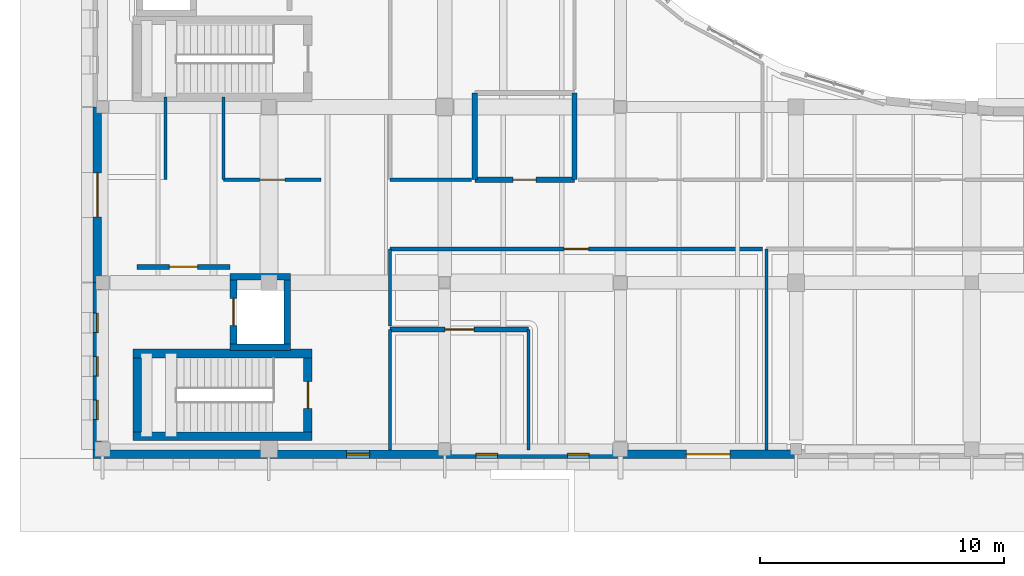
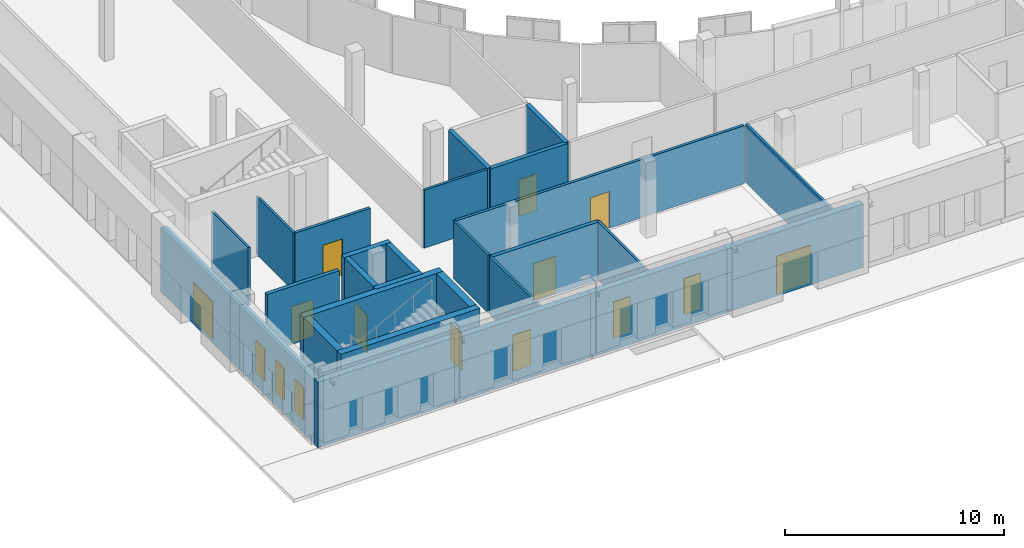
# One storey, part 47 of 77: 28 walls, 9 doors, 6 windows, 15 openings.
"""IFC4 building model written with IfcOpenShell, lengths in metres."""

from ifc_helpers import new_model, si_unit, direction, frame, frame_2d, origin, place, context, subcontext, project, spatial, rectangle, extrude, material, layer, layer_set, type_object, element, fill, save


model = new_model("IFC4")

# Units and contexts
model_context = context("Model", 3, precision=1e-05, world=origin(), true_north=direction((0.0, 1.0)))
body_context = subcontext(model_context, "Body", "Model", "MODEL_VIEW")
ifc_project = project(units=[si_unit("LENGTHUNIT", "METRE"), si_unit("AREAUNIT", "SQUARE_METRE"), si_unit("VOLUMEUNIT", "CUBIC_METRE"), si_unit("PLANEANGLEUNIT", "RADIAN"), si_unit("MASSUNIT", "GRAM", prefix="KILO")], contexts=[model_context])

# Site, building, storey
site_placement = place(None, origin())
site = spatial("IfcSite", under=ifc_project, at=site_placement, CompositionType="ELEMENT")
building_placement = place(site_placement, origin())
building = spatial("IfcBuilding", under=site, at=building_placement, Name="Vardoun Plaza Health Centre", CompositionType="ELEMENT")
storey_placement = place(building_placement, origin())
storey = spatial("IfcBuildingStorey", under=building, at=storey_placement, Name="L00", CompositionType="ELEMENT", Elevation=0.0)

# Wall
ifc_material_1 = material(Name="Concrete C40/50", Category="concrete")
ifc_layer_1 = layer(ifc_material_1, 0.27001953125)
ifc_layer_set_1 = layer_set([ifc_layer_1], Name="Concrete C40/50")
wall_type_1 = type_object("IfcWallType", Name="SW-03", PredefinedType="SHEAR", material=ifc_layer_set_1)
wall_1_placement = place(storey_placement, frame((12.5849609375, 9.050048828125, 0.0), z_axis=(0.0, 0.0, 1.0), x_axis=(-1.0, 0.0, 0.0)))
element("IfcWall", 1, at=wall_1_placement, inside=storey, type_object=wall_type_1, Name="Lift LF-01 L00 Shaft Wall S", PredefinedType="SHEAR", context=body_context, shape_type="SweptSolid", body=[
    extrude(rectangle(XDim=2.469970703125, YDim=0.27001953125, at=frame_2d((1.23486328125, 0.0))), origin(), (0.0, 0.0, 1.0), 4.219970703125),
])

# Wall, opening, door
wall_2_placement = place(storey_placement, frame((10.25, 9.18505859375, 0.0), z_axis=(0.0, 0.0, 1.0), x_axis=(0.0, 1.0, 0.0)))
wall_2 = element("IfcWall", 2, at=wall_2_placement, inside=storey, type_object=wall_type_1, Name="Lift LF-01 L00 Shaft Wall W", PredefinedType="SHEAR", context=body_context, shape_type="SweptSolid", body=[
    extrude(rectangle(XDim=2.6298828125, YDim=0.27001953125, at=frame_2d((1.31494140625, 0.0))), origin(), (0.0, 0.0, 1.0), 4.219970703125),
])
opening_1_placement = place(wall_2_placement, frame((0.7548828125, 0.0, 0.0)))
opening_1 = element("IfcOpeningElement", 3, at=opening_1_placement, cuts=wall_2, Name="Opening LD-LF-01-L00", PredefinedType="OPENING", context=body_context, shape_type="SweptSolid", body=[
    extrude(rectangle(XDim=1.1201171875, YDim=2.10009765625, at=frame_2d((0.56005859375, 1.050048828125))), frame((0.0, 0.135009765625, 0.0), z_axis=(0.0, -1.0, 0.0), x_axis=(1.0, 0.0, 0.0)), (0.0, 0.0, 1.0), 0.27001953125),
])
ifc_material_2 = material(Name="Brushed Stainless Steel Grade 316L", Category="steel")
door_type_1 = type_object("IfcDoorType", Name="LD-01", OperationType="DOUBLE_DOOR_SLIDING", PredefinedType="DOOR", material=ifc_material_2)
door_1_placement = place(opening_1_placement, origin())
door_1 = element("IfcDoor", 4, at=door_1_placement, inside=storey, type_object=door_type_1, Name="Lift LF-01 L00 Sliding Landing Door", OperationType="DOUBLE_DOOR_SLIDING", OverallHeight=2.10009765625, OverallWidth=1.1201171875, PredefinedType="DOOR", context=body_context, shape_type="SweptSolid", body=[
    extrude(rectangle(XDim=1.1201171875, YDim=2.10009765625, at=frame_2d((0.56005859375, 1.050048828125))), frame((0.0, 0.02490234375, 0.0), z_axis=(0.0, -1.0, 0.0), x_axis=(1.0, 0.0, 0.0)), (0.0, 0.0, 1.0), 0.050048828125),
])
fill(opening_1, door_1)

# Walls
wall_3_placement = place(storey_placement, frame((10.114990234375, 11.949951171875, 0.0), z_axis=(0.0, 0.0, 1.0), x_axis=(1.0, 0.0, 0.0)))
element("IfcWall", 5, at=wall_3_placement, inside=storey, type_object=wall_type_1, Name="Lift LF-01 L00 Shaft Wall N", PredefinedType="SHEAR", context=body_context, shape_type="SweptSolid", body=[
    extrude(rectangle(XDim=2.469970703125, YDim=0.27001953125, at=frame_2d((1.23486328125, 0.0))), origin(), (0.0, 0.0, 1.0), 4.219970703125),
])
wall_4_placement = place(storey_placement, frame((12.449951171875, 11.81494140625, 0.0), z_axis=(0.0, 0.0, 1.0), x_axis=(0.0, -1.0, 0.0)))
element("IfcWall", 6, at=wall_4_placement, inside=storey, type_object=wall_type_1, Name="Lift LF-01 L00 Shaft Wall E", PredefinedType="SHEAR", context=body_context, shape_type="SweptSolid", body=[
    extrude(rectangle(XDim=2.6298828125, YDim=0.27001953125, at=frame_2d((1.31494140625, 0.0))), origin(), (0.0, 0.0, 1.0), 4.219970703125),
])
ifc_material_3 = material(Name="Concrete C40/50", Category="concrete")
ifc_layer_2 = layer(ifc_material_3, 0.35009765625)
ifc_layer_set_2 = layer_set([ifc_layer_2], Name="Concrete C40/50")
wall_type_2 = type_object("IfcWallType", Name="SW-02", PredefinedType="SHEAR", material=ifc_layer_set_2)
wall_5_placement = place(storey_placement, frame((13.47509765625, 5.39990234375, 0.0), z_axis=(0.0, 0.0, 1.0), x_axis=(-1.0, 0.0, 0.0)))
element("IfcWall", 7, at=wall_5_placement, inside=storey, type_object=wall_type_2, Name="Core C1 L00 Shear Wall S", PredefinedType="SHEAR", context=body_context, shape_type="SweptSolid", body=[
    extrude(rectangle(XDim=7.35009765625, YDim=0.35009765625, at=frame_2d((3.675048828125, 0.0))), origin(), (0.0, 0.0, 1.0), 4.219970703125),
])
wall_6_placement = place(storey_placement, frame((6.300048828125, 5.574951171875, 0.0), z_axis=(0.0, 0.0, 1.0), x_axis=(0.0, 1.0, 0.0)))
element("IfcWall", 8, at=wall_6_placement, inside=storey, type_object=wall_type_2, Name="Core C1 L00 Shear Wall W", PredefinedType="SHEAR", context=body_context, shape_type="SweptSolid", body=[
    extrude(rectangle(XDim=3.050048828125, YDim=0.35009765625, at=frame_2d((1.52490234375, 0.0))), origin(), (0.0, 0.0, 1.0), 4.219970703125),
])
wall_7_placement = place(storey_placement, frame((6.125, 8.800048828125, 0.0), z_axis=(0.0, 0.0, 1.0), x_axis=(1.0, 0.0, 0.0)))
element("IfcWall", 9, at=wall_7_placement, inside=storey, type_object=wall_type_2, Name="Core C1 L00 Shear Wall N", PredefinedType="SHEAR", context=body_context, shape_type="SweptSolid", body=[
    extrude(rectangle(XDim=7.35009765625, YDim=0.35009765625, at=frame_2d((3.675048828125, 0.0))), origin(), (0.0, 0.0, 1.0), 4.219970703125),
])

# Wall, opening, door
wall_8_placement = place(storey_placement, frame((13.300048828125, 8.625, 0.0), z_axis=(0.0, 0.0, 1.0), x_axis=(0.0, -1.0, 0.0)))
wall_8 = element("IfcWall", 10, at=wall_8_placement, inside=storey, type_object=wall_type_2, Name="Core C1 L00 Shear Wall E", PredefinedType="SHEAR", context=body_context, shape_type="SweptSolid", body=[
    extrude(rectangle(XDim=3.050048828125, YDim=0.35009765625, at=frame_2d((1.52490234375, 0.0))), origin(), (0.0, 0.0, 1.0), 4.219970703125),
])
opening_2_placement = place(wall_8_placement, frame((0.97509765625, 0.0, 0.0)))
opening_2 = element("IfcOpeningElement", 11, at=opening_2_placement, cuts=wall_8, Name="Opening SD-C1-L00", PredefinedType="OPENING", context=body_context, shape_type="SweptSolid", body=[
    extrude(rectangle(XDim=1.10009765625, YDim=2.050048828125, at=frame_2d((0.550048828125, 1.02490234375))), frame((0.0, 0.175048828125, 0.0), z_axis=(0.0, -1.0, 0.0), x_axis=(1.0, 0.0, 0.0)), (0.0, 0.0, 1.0), 0.35009765625),
])
ifc_material_4 = material(Name="Brushed Stainless Steel Grade 316L", Category="steel")
door_type_2 = type_object("IfcDoorType", Name="FD-01", OperationType="NOTDEFINED", PredefinedType="DOOR", material=ifc_material_4)
door_2_placement = place(opening_2_placement, origin())
door_2 = element("IfcDoor", 12, at=door_2_placement, inside=storey, type_object=door_type_2, Name="Stair C1 L00 Fire Door", OperationType="SINGLE_SWING_LEFT", OverallHeight=2.050048828125, OverallWidth=1.10009765625, PredefinedType="DOOR", context=body_context, shape_type="SweptSolid", body=[
    extrude(rectangle(XDim=1.10009765625, YDim=2.050048828125, at=frame_2d((0.550048828125, 1.02490234375))), frame((0.0, 0.02490234375, 0.0), z_axis=(0.0, -1.0, 0.0), x_axis=(1.0, 0.0, 0.0)), (0.0, 0.0, 1.0), 0.050048828125),
])
fill(opening_2, door_2)

ifc_material_5 = material(Name="Pale Limestone Concrete C35/45", Category="masonry")
ifc_layer_3 = layer(ifc_material_5, 0.344970703125)
ifc_layer_set_3 = layer_set([ifc_layer_3], Name="Pale Limestone Concrete C35/45")
wall_type_3 = type_object("IfcWallType", Name="EW-01", PredefinedType="SOLIDWALL", material=ifc_layer_set_3)
wall_9_placement = place(storey_placement, frame((33.300048828125, 4.672607421875, 0.0), z_axis=(0.0, 0.0, 1.0), x_axis=(-1.0, 0.0, 0.0)))
wall_9 = element("IfcWall", 13, at=wall_9_placement, inside=storey, type_object=wall_type_3, Name="V2 L00 Exterior Wall EW-V2-086", PredefinedType="SOLIDWALL", context=body_context, shape_type="SweptSolid", body=[
    extrude(rectangle(XDim=7.199951171875, YDim=0.344970703125, at=frame_2d((3.60009765625, 0.0))), origin(), (0.0, 0.0, 1.0), 3.554931640625),
])
opening_3_placement = place(wall_9_placement, frame((2.699951171875, 0.0, 0.0)))
opening_3 = element("IfcOpeningElement", 14, at=opening_3_placement, cuts=wall_9, Name="Opening D-00-E03", PredefinedType="OPENING", context=body_context, shape_type="SweptSolid", body=[
    extrude(rectangle(XDim=1.800048828125, YDim=2.10009765625, at=frame_2d((0.89990234375, 1.050048828125))), frame((0.0, 0.17236328125, 0.0), z_axis=(0.0, -1.0, 0.0), x_axis=(1.0, 0.0, 0.0)), (0.0, 0.0, 1.0), 0.344970703125),
])
ifc_material_6 = material(Name="Aluminium Alloy EN AW-6063-T6 Glazed Exit Door", Category="aluminium")
door_type_3 = type_object("IfcDoorType", Name="ED-01", OperationType="DOUBLE_DOOR_SINGLE_SWING", PredefinedType="DOOR", material=ifc_material_6)
door_3_placement = place(opening_3_placement, origin())
door_3 = element("IfcDoor", 15, at=door_3_placement, inside=storey, type_object=door_type_3, Name="V2 Ground Final Exit Door D-00-E03", OperationType="DOUBLE_DOOR_SINGLE_SWING", OverallHeight=2.10009765625, OverallWidth=1.800048828125, PredefinedType="DOOR", context=body_context, shape_type="SweptSolid", body=[
    extrude(rectangle(XDim=1.800048828125, YDim=2.10009765625, at=frame_2d((0.89990234375, 1.050048828125))), frame((0.0, 0.02490234375, 0.0), z_axis=(0.0, -1.0, 0.0), x_axis=(1.0, 0.0, 0.0)), (0.0, 0.0, 1.0), 0.050048828125),
])
fill(opening_3, door_3)

# Wall, openings, windows
wall_10_placement = place(storey_placement, frame((26.10009765625, 4.672607421875, 0.0), z_axis=(0.0, 0.0, 1.0), x_axis=(-1.0, 0.0, 0.0)))
wall_10 = element("IfcWall", 16, at=wall_10_placement, inside=storey, type_object=wall_type_3, Name="V2 L00 Exterior Wall EW-V2-087", PredefinedType="SOLIDWALL", context=body_context, shape_type="SweptSolid", body=[
    extrude(rectangle(XDim=7.2001953125, YDim=0.344970703125, at=frame_2d((3.60009765625, 0.0))), origin(), (0.0, 0.0, 1.0), 3.554931640625),
])
opening_4_placement = place(wall_10_placement, frame((1.282958984375, 0.0, 0.550048828125)))
opening_4 = element("IfcOpeningElement", 17, at=opening_4_placement, cuts=wall_10, Name="Opening W-35-001", PredefinedType="OPENING", context=body_context, shape_type="SweptSolid", body=[
    extrude(rectangle(XDim=0.889892578125, YDim=2.02001953125, at=frame_2d((0.44482421875, 1.010009765625))), frame((0.0, 0.17236328125, 0.0), z_axis=(0.0, -1.0, 0.0), x_axis=(1.0, 0.0, 0.0)), (0.0, 0.0, 1.0), 0.344970703125),
])
opening_5_placement = place(wall_10_placement, frame((5.027099609375, 0.0, 0.550048828125)))
opening_5 = element("IfcOpeningElement", 18, at=opening_5_placement, cuts=wall_10, Name="Opening W-35-002", PredefinedType="OPENING", context=body_context, shape_type="SweptSolid", body=[
    extrude(rectangle(XDim=0.889892578125, YDim=2.02001953125, at=frame_2d((0.44482421875, 1.010009765625))), frame((0.0, 0.17236328125, 0.0), z_axis=(0.0, -1.0, 0.0), x_axis=(1.0, 0.0, 0.0)), (0.0, 0.0, 1.0), 0.344970703125),
])
ifc_material_7 = material(Name="Aluminium Alloy EN AW-6063-T6 and Low-E Glass", Category="aluminium")
window_type_1 = type_object("IfcWindowType", Name="W-35", PartitioningType="DOUBLE_PANEL_VERTICAL", PredefinedType="WINDOW", material=ifc_material_7)
window_1_placement = place(opening_4_placement, origin())
window_1 = element("IfcWindow", 19, at=window_1_placement, inside=storey, type_object=window_type_1, Name="V2 L00 Deep-Punched Slot Window W-35-021", OverallHeight=2.02001953125, OverallWidth=0.889892578125, PartitioningType="DOUBLE_PANEL_VERTICAL", PredefinedType="WINDOW", context=body_context, shape_type="SweptSolid", body=[
    extrude(rectangle(XDim=0.889892578125, YDim=2.02001953125, at=frame_2d((0.44482421875, 1.010009765625))), frame((0.0, 0.030029296875, 0.0), z_axis=(0.0, -1.0, 0.0), x_axis=(1.0, 0.0, 0.0)), (0.0, 0.0, 1.0), 0.06005859375),
])
fill(opening_4, window_1)
window_2_placement = place(opening_5_placement, origin())
window_2 = element("IfcWindow", 20, at=window_2_placement, inside=storey, type_object=window_type_1, Name="V2 L00 Deep-Punched Slot Window W-35-023", OverallHeight=2.02001953125, OverallWidth=0.889892578125, PartitioningType="DOUBLE_PANEL_VERTICAL", PredefinedType="WINDOW", context=body_context, shape_type="SweptSolid", body=[
    extrude(rectangle(XDim=0.889892578125, YDim=2.02001953125, at=frame_2d((0.44482421875, 1.010009765625))), frame((0.0, 0.030029296875, 0.0), z_axis=(0.0, -1.0, 0.0), x_axis=(1.0, 0.0, 0.0)), (0.0, 0.0, 1.0), 0.06005859375),
])
fill(opening_5, window_2)

# Wall, opening, window
wall_11_placement = place(storey_placement, frame((18.89990234375, 4.672607421875, 0.0), z_axis=(0.0, 0.0, 1.0), x_axis=(-1.0, 0.0, 0.0)))
wall_11 = element("IfcWall", 21, at=wall_11_placement, inside=storey, type_object=wall_type_3, Name="V2 L00 Exterior Wall EW-V2-088", PredefinedType="SOLIDWALL", context=body_context, shape_type="SweptSolid", body=[
    extrude(rectangle(XDim=7.199951171875, YDim=0.344970703125, at=frame_2d((3.60009765625, 0.0))), origin(), (0.0, 0.0, 1.0), 3.554931640625),
])
opening_6_placement = place(wall_11_placement, frame((3.071044921875, 0.0, 0.550048828125)))
opening_6 = element("IfcOpeningElement", 22, at=opening_6_placement, cuts=wall_11, Name="Opening W-36-001", PredefinedType="OPENING", context=body_context, shape_type="SweptSolid", body=[
    extrude(rectangle(XDim=0.949951171875, YDim=2.02001953125, at=frame_2d((0.47509765625, 1.010009765625))), frame((0.0, 0.17236328125, 0.0), z_axis=(0.0, -1.0, 0.0), x_axis=(1.0, 0.0, 0.0)), (0.0, 0.0, 1.0), 0.344970703125),
])
ifc_material_8 = material(Name="Aluminium Alloy EN AW-6063-T6 and Low-E Glass", Category="aluminium")
window_type_2 = type_object("IfcWindowType", Name="W-36", PartitioningType="DOUBLE_PANEL_VERTICAL", PredefinedType="WINDOW", material=ifc_material_8)
window_3_placement = place(opening_6_placement, origin())
window_3 = element("IfcWindow", 23, at=window_3_placement, inside=storey, type_object=window_type_2, Name="V2 L00 Deep-Punched Slot Window W-36-025", OverallHeight=2.02001953125, OverallWidth=0.949951171875, PartitioningType="DOUBLE_PANEL_VERTICAL", PredefinedType="WINDOW", context=body_context, shape_type="SweptSolid", body=[
    extrude(rectangle(XDim=0.949951171875, YDim=2.02001953125, at=frame_2d((0.47509765625, 1.010009765625))), frame((0.0, 0.030029296875, 0.0), z_axis=(0.0, -1.0, 0.0), x_axis=(1.0, 0.0, 0.0)), (0.0, 0.0, 1.0), 0.06005859375),
])
fill(opening_6, window_3)

# Wall
wall_12_placement = place(storey_placement, frame((11.699951171875, 4.672607421875, 0.0), z_axis=(0.0, 0.0, 1.0), x_axis=(-1.0, 0.0, 0.0)))
element("IfcWall", 24, at=wall_12_placement, inside=storey, type_object=wall_type_3, Name="V2 L00 Exterior Wall EW-V2-089", PredefinedType="SOLIDWALL", context=body_context, shape_type="SweptSolid", body=[
    extrude(rectangle(XDim=7.199951171875, YDim=0.344970703125, at=frame_2d((3.60009765625, 0.0))), origin(), (0.0, 0.0, 1.0), 3.655029296875),
])

# Wall, openings, windows
wall_13_placement = place(storey_placement, frame((4.672607421875, 4.844970703125, 0.0), z_axis=(0.0, 0.0, 1.0), x_axis=(0.0, 1.0, 0.0)))
wall_13 = element("IfcWall", 25, at=wall_13_placement, inside=storey, type_object=wall_type_3, Name="V2 L00 Exterior Wall EW-V2-090", PredefinedType="SOLIDWALL", context=body_context, shape_type="SweptSolid", body=[
    extrude(rectangle(XDim=6.85498046875, YDim=0.344970703125, at=frame_2d((3.427490234375, 0.0))), origin(), (0.0, 0.0, 1.0), 3.5849609375),
])
opening_7_placement = place(wall_13_placement, frame((1.2451171875, 0.0, 0.550048828125)))
opening_7 = element("IfcOpeningElement", 26, at=opening_7_placement, cuts=wall_13, Name="Opening W-27-001", PredefinedType="OPENING", context=body_context, shape_type="SweptSolid", body=[
    extrude(rectangle(XDim=0.800048828125, YDim=1.800048828125, at=frame_2d((0.39990234375, 0.89990234375))), frame((0.0, 0.17236328125, 0.0), z_axis=(0.0, -1.0, 0.0), x_axis=(1.0, 0.0, 0.0)), (0.0, 0.0, 1.0), 0.344970703125),
])
opening_8_placement = place(wall_13_placement, frame((3.027587890625, 0.0, 0.550048828125)))
opening_8 = element("IfcOpeningElement", 27, at=opening_8_placement, cuts=wall_13, Name="Opening W-27-002", PredefinedType="OPENING", context=body_context, shape_type="SweptSolid", body=[
    extrude(rectangle(XDim=0.800048828125, YDim=1.800048828125, at=frame_2d((0.39990234375, 0.89990234375))), frame((0.0, 0.17236328125, 0.0), z_axis=(0.0, -1.0, 0.0), x_axis=(1.0, 0.0, 0.0)), (0.0, 0.0, 1.0), 0.344970703125),
])
opening_9_placement = place(wall_13_placement, frame((4.809814453125, 0.0, 0.550048828125)))
opening_9 = element("IfcOpeningElement", 28, at=opening_9_placement, cuts=wall_13, Name="Opening W-27-003", PredefinedType="OPENING", context=body_context, shape_type="SweptSolid", body=[
    extrude(rectangle(XDim=0.800048828125, YDim=1.800048828125, at=frame_2d((0.39990234375, 0.89990234375))), frame((0.0, 0.17236328125, 0.0), z_axis=(0.0, -1.0, 0.0), x_axis=(1.0, 0.0, 0.0)), (0.0, 0.0, 1.0), 0.344970703125),
])
ifc_material_9 = material(Name="Aluminium Alloy EN AW-6063-T6 and Low-E Glass", Category="aluminium")
window_type_3 = type_object("IfcWindowType", Name="W-27", PartitioningType="SINGLE_PANEL", PredefinedType="WINDOW", material=ifc_material_9)
window_4_placement = place(opening_7_placement, origin())
window_4 = element("IfcWindow", 29, at=window_4_placement, inside=storey, type_object=window_type_3, Name="V2 L00 Deep-Punched Slot Window W-27-029", OverallHeight=1.800048828125, OverallWidth=0.800048828125, PartitioningType="SINGLE_PANEL", PredefinedType="WINDOW", context=body_context, shape_type="SweptSolid", body=[
    extrude(rectangle(XDim=0.800048828125, YDim=1.800048828125, at=frame_2d((0.39990234375, 0.89990234375))), frame((0.0, 0.030029296875, 0.0), z_axis=(0.0, -1.0, 0.0), x_axis=(1.0, 0.0, 0.0)), (0.0, 0.0, 1.0), 0.06005859375),
])
fill(opening_7, window_4)
window_5_placement = place(opening_8_placement, origin())
window_5 = element("IfcWindow", 30, at=window_5_placement, inside=storey, type_object=window_type_3, Name="V2 L00 Deep-Punched Slot Window W-27-030", OverallHeight=1.800048828125, OverallWidth=0.800048828125, PartitioningType="SINGLE_PANEL", PredefinedType="WINDOW", context=body_context, shape_type="SweptSolid", body=[
    extrude(rectangle(XDim=0.800048828125, YDim=1.800048828125, at=frame_2d((0.39990234375, 0.89990234375))), frame((0.0, 0.030029296875, 0.0), z_axis=(0.0, -1.0, 0.0), x_axis=(1.0, 0.0, 0.0)), (0.0, 0.0, 1.0), 0.06005859375),
])
fill(opening_8, window_5)
window_6_placement = place(opening_9_placement, origin())
window_6 = element("IfcWindow", 31, at=window_6_placement, inside=storey, type_object=window_type_3, Name="V2 L00 Deep-Punched Slot Window W-27-031", OverallHeight=1.800048828125, OverallWidth=0.800048828125, PartitioningType="SINGLE_PANEL", PredefinedType="WINDOW", context=body_context, shape_type="SweptSolid", body=[
    extrude(rectangle(XDim=0.800048828125, YDim=1.800048828125, at=frame_2d((0.39990234375, 0.89990234375))), frame((0.0, 0.030029296875, 0.0), z_axis=(0.0, -1.0, 0.0), x_axis=(1.0, 0.0, 0.0)), (0.0, 0.0, 1.0), 0.06005859375),
])
fill(opening_9, window_6)

# Wall, opening, door
wall_14_placement = place(storey_placement, frame((4.672607421875, 11.699951171875, 0.0), z_axis=(0.0, 0.0, 1.0), x_axis=(0.0, 1.0, 0.0)))
wall_14 = element("IfcWall", 32, at=wall_14_placement, inside=storey, type_object=wall_type_3, Name="V2 L00 Exterior Wall EW-V2-091", PredefinedType="SOLIDWALL", context=body_context, shape_type="SweptSolid", body=[
    extrude(rectangle(XDim=7.199951171875, YDim=0.344970703125, at=frame_2d((3.60009765625, 0.0))), origin(), (0.0, 0.0, 1.0), 3.5849609375),
])
opening_10_placement = place(wall_14_placement, frame((2.699951171875, 0.0, 0.0)))
opening_10 = element("IfcOpeningElement", 33, at=opening_10_placement, cuts=wall_14, Name="Opening D-00-E04", PredefinedType="OPENING", context=body_context, shape_type="SweptSolid", body=[
    extrude(rectangle(XDim=1.800048828125, YDim=2.10009765625, at=frame_2d((0.89990234375, 1.050048828125))), frame((0.0, 0.17236328125, 0.0), z_axis=(0.0, -1.0, 0.0), x_axis=(1.0, 0.0, 0.0)), (0.0, 0.0, 1.0), 0.344970703125),
])
door_4_placement = place(opening_10_placement, origin())
door_4 = element("IfcDoor", 34, at=door_4_placement, inside=storey, type_object=door_type_3, Name="V2 Ground Final Exit Door D-00-E04", OperationType="DOUBLE_DOOR_SINGLE_SWING", OverallHeight=2.10009765625, OverallWidth=1.800048828125, PredefinedType="DOOR", context=body_context, shape_type="SweptSolid", body=[
    extrude(rectangle(XDim=1.800048828125, YDim=2.10009765625, at=frame_2d((0.89990234375, 1.050048828125))), frame((0.0, 0.02490234375, 0.0), z_axis=(0.0, -1.0, 0.0), x_axis=(1.0, 0.0, 0.0)), (0.0, 0.0, 1.0), 0.050048828125),
])
fill(opening_10, door_4)

ifc_material_10 = material(Name="Acoustic Gypsum Twin-Stud", Category="steel")
ifc_layer_4 = layer(ifc_material_10, 0.14990234375)
ifc_layer_set_4 = layer_set([ifc_layer_4], Name="Acoustic Gypsum Twin-Stud")
wall_type_4 = type_object("IfcWallType", Name="IW-04", PredefinedType="PARTITIONING", material=ifc_layer_set_4)
wall_15_placement = place(storey_placement, frame((13.830078125, 15.919921875, 0.0), z_axis=(0.0, 0.0, 1.0), x_axis=(-1.0, 0.0, 0.0)))
wall_15 = element("IfcWall", 35, at=wall_15_placement, inside=storey, type_object=wall_type_4, Name="Phlebotomy Blood Draw Suite Partition Wall", PredefinedType="PARTITIONING", context=body_context, shape_type="SweptSolid", body=[
    extrude(rectangle(XDim=3.989990234375, YDim=0.14990234375, at=frame_2d((1.9951171875, 0.0))), origin(), (0.0, 0.0, 1.0), 3.239990234375),
])
opening_11_placement = place(wall_15_placement, frame((1.47509765625, 0.0, 0.0)))
opening_11 = element("IfcOpeningElement", 36, at=opening_11_placement, cuts=wall_15, Name="Opening D-L00-030", PredefinedType="OPENING", context=body_context, shape_type="SweptSolid", body=[
    extrude(rectangle(XDim=1.0400390625, YDim=2.050048828125, at=frame_2d((0.52001953125, 1.02490234375))), frame((0.0, 0.074951171875, 0.0), z_axis=(0.0, -1.0, 0.0), x_axis=(1.0, 0.0, 0.0)), (0.0, 0.0, 1.0), 0.14990234375),
])
ifc_material_11 = material(Name="Antimicrobial Acoustic Timber and Steel S275JR", Category="steel")
door_type_4 = type_object("IfcDoorType", Name="CD-04", OperationType="NOTDEFINED", PredefinedType="DOOR", material=ifc_material_11)
door_5_placement = place(opening_11_placement, origin())
door_5 = element("IfcDoor", 37, at=door_5_placement, inside=storey, type_object=door_type_4, Name="Phlebotomy Blood Draw Suite Door D-L00-030", OperationType="SINGLE_SWING_RIGHT", OverallHeight=2.050048828125, OverallWidth=1.0400390625, PredefinedType="DOOR", context=body_context, shape_type="SweptSolid", body=[
    extrude(rectangle(XDim=1.0400390625, YDim=2.050048828125, at=frame_2d((0.52001953125, 1.02490234375))), frame((0.0, 0.02490234375, 0.0), z_axis=(0.0, -1.0, 0.0), x_axis=(1.0, 0.0, 0.0)), (0.0, 0.0, 1.0), 0.050048828125),
])
fill(opening_11, door_5)

wall_16_placement = place(storey_placement, frame((16.669921875, 13.080078125, 0.0), z_axis=(0.0, 0.0, 1.0), x_axis=(1.0, 0.0, 0.0)))
wall_16 = element("IfcWall", 38, at=wall_16_placement, inside=storey, type_object=wall_type_4, Name="Outpatient Waiting Lounge L00 Partition Wall", PredefinedType="PARTITIONING", context=body_context, shape_type="SweptSolid", body=[
    extrude(rectangle(XDim=15.260009765625, YDim=0.14990234375, at=frame_2d((7.6298828125, 0.0))), origin(), (0.0, 0.0, 1.0), 3.239990234375),
])
opening_12_placement = place(wall_16_placement, frame((7.1298828125, 0.0, 0.0)))
opening_12 = element("IfcOpeningElement", 39, at=opening_12_placement, cuts=wall_16, Name="Opening D-L00-031", PredefinedType="OPENING", context=body_context, shape_type="SweptSolid", body=[
    extrude(rectangle(XDim=1.0, YDim=2.050048828125, at=frame_2d((0.5, 1.02490234375))), frame((0.0, 0.074951171875, 0.0), z_axis=(0.0, -1.0, 0.0), x_axis=(1.0, 0.0, 0.0)), (0.0, 0.0, 1.0), 0.14990234375),
])
ifc_material_12 = material(Name="Antimicrobial Acoustic Timber and Steel S275JR", Category="steel")
door_type_5 = type_object("IfcDoorType", Name="CD-03", OperationType="NOTDEFINED", PredefinedType="DOOR", material=ifc_material_12)
door_6_placement = place(opening_12_placement, origin())
door_6 = element("IfcDoor", 40, at=door_6_placement, inside=storey, type_object=door_type_5, Name="Outpatient Waiting Lounge L00 Door D-L00-031", OperationType="SINGLE_SWING_LEFT", OverallHeight=2.050048828125, OverallWidth=1.0, PredefinedType="DOOR", context=body_context, shape_type="SweptSolid", body=[
    extrude(rectangle(XDim=1.0, YDim=2.050048828125, at=frame_2d((0.5, 1.02490234375))), frame((0.0, 0.02490234375, 0.0), z_axis=(0.0, -1.0, 0.0), x_axis=(1.0, 0.0, 0.0)), (0.0, 0.0, 1.0), 0.050048828125),
])
fill(opening_12, door_6)

# Walls
ifc_material_13 = material(Name="Standard Clinical Sub-Partition", Category="steel")
ifc_layer_5 = layer(ifc_material_13, 0.125)
ifc_layer_set_5 = layer_set([ifc_layer_5], Name="Standard Clinical Sub-Partition")
wall_type_5 = type_object("IfcWallType", Name="IW-11", PredefinedType="PARTITIONING", material=ifc_layer_set_5)
for number, where, z_axis, x_axis, name in (
    (41, (22.344482421875, 9.784423828125, 0.0), (0.0, 0.0, 1.0), (0.0, -1.0, 0.0), "Fire Command Room Enclosure Partition"),
    (42, (16.669921875, 4.85009765625, 0.0), (0.0, 0.0, 1.0), (0.0, 1.0, 0.0), "Fire Command Room Enclosure Partition"),
):
    element("IfcWall", number, at=place(storey_placement, frame(where, z_axis=z_axis, x_axis=x_axis)), inside=storey, type_object=wall_type_5, Name=name, PredefinedType="PARTITIONING", context=body_context, shape_type="SweptSolid", body=[
        extrude(rectangle(XDim=4.934326171875, YDim=0.125, at=frame_2d((2.46728515625, 0.0))), origin(), (0.0, 0.0, 1.0), 3.239990234375),
    ])
wall_17_placement = place(storey_placement, frame((19.99658203125, 15.919921875, 0.0), z_axis=(0.0, 0.0, 1.0), x_axis=(-1.0, 0.0, 0.0)))
element("IfcWall", 43, at=wall_17_placement, inside=storey, type_object=wall_type_5, Name="GP Consulting Room 01 Enclosure Partition", PredefinedType="PARTITIONING", context=body_context, shape_type="SweptSolid", body=[
    extrude(rectangle(XDim=3.32666015625, YDim=0.125, at=frame_2d((1.663330078125, 0.0))), origin(), (0.0, 0.0, 1.0), 3.239990234375),
])
wall_18_placement = place(storey_placement, frame((7.4599609375, 19.300048828125, 0.0), z_axis=(0.0, 0.0, 1.0), x_axis=(0.0, -1.0, 0.0)))
element("IfcWall", 44, at=wall_18_placement, inside=storey, type_object=wall_type_5, Name="GP Consulting Room 02 Enclosure Partition", PredefinedType="PARTITIONING", context=body_context, shape_type="SweptSolid", body=[
    extrude(rectangle(XDim=3.380126953125, YDim=0.125, at=frame_2d((1.68994140625, 0.0))), origin(), (0.0, 0.0, 1.0), 3.239990234375),
])
wall_19_placement = place(storey_placement, frame((32.090087890625, 4.85009765625, 0.0), z_axis=(0.0, 0.0, 1.0), x_axis=(0.0, 1.0, 0.0)))
element("IfcWall", 45, at=wall_19_placement, inside=storey, type_object=wall_type_5, Name="GP Consulting Room 04 Enclosure Partition", PredefinedType="PARTITIONING", context=body_context, shape_type="SweptSolid", body=[
    extrude(rectangle(XDim=8.22998046875, YDim=0.125, at=frame_2d((4.114990234375, 0.0))), origin(), (0.0, 0.0, 1.0), 3.239990234375),
])
wall_20_placement = place(storey_placement, frame((9.840087890625, 15.919921875, 0.0), z_axis=(0.0, 0.0, 1.0), x_axis=(0.0, 1.0, 0.0)))
element("IfcWall", 46, at=wall_20_placement, inside=storey, type_object=wall_type_5, Name="Phlebotomy Blood Draw Suite Enclosure Partition", PredefinedType="PARTITIONING", context=body_context, shape_type="SweptSolid", body=[
    extrude(rectangle(XDim=3.380126953125, YDim=0.125, at=frame_2d((1.68994140625, 0.0))), origin(), (0.0, 0.0, 1.0), 3.239990234375),
])
wall_21_placement = place(storey_placement, frame((16.669921875, 9.92431640625, 0.0), z_axis=(0.0, 0.0, 1.0), x_axis=(0.0, 1.0, 0.0)))
element("IfcWall", 47, at=wall_21_placement, inside=storey, type_object=wall_type_5, Name="Outpatient Waiting Lounge L00 Enclosure Partition", PredefinedType="PARTITIONING", context=body_context, shape_type="SweptSolid", body=[
    extrude(rectangle(XDim=3.15576171875, YDim=0.125, at=frame_2d((1.577880859375, 0.0))), origin(), (0.0, 0.0, 1.0), 3.239990234375),
])

# Wall, opening, door
ifc_material_14 = material(Name="Concrete C35/45", Category="concrete")
ifc_layer_6 = layer(ifc_material_14, 0.199951171875)
ifc_layer_set_6 = layer_set([ifc_layer_6], Name="Concrete C35/45")
wall_type_6 = type_object("IfcWallType", Name="IW-01", PredefinedType="SOLIDWALL", material=ifc_layer_set_6)
wall_22_placement = place(storey_placement, frame((6.300048828125, 12.35009765625, 0.0), z_axis=(0.0, 0.0, 1.0), x_axis=(1.0, 0.0, 0.0)))
wall_22 = element("IfcWall", 48, at=wall_22_placement, inside=storey, type_object=wall_type_6, Name="Firefighting Lobby C1 L00 Wall", PredefinedType="SOLIDWALL", context=body_context, shape_type="SweptSolid", body=[
    extrude(rectangle(XDim=3.800048828125, YDim=0.199951171875, at=frame_2d((1.89990234375, 0.0))), origin(), (0.0, 0.0, 1.0), 3.239990234375),
])
opening_13_placement = place(wall_22_placement, frame((1.324951171875, 0.0, 0.0)))
opening_13 = element("IfcOpeningElement", 49, at=opening_13_placement, cuts=wall_22, Name="Opening FD-FF-C1-L00", PredefinedType="OPENING", context=body_context, shape_type="SweptSolid", body=[
    extrude(rectangle(XDim=1.14990234375, YDim=2.050048828125, at=frame_2d((0.574951171875, 1.02490234375))), frame((0.0, 0.10009765625, 0.0), z_axis=(0.0, -1.0, 0.0), x_axis=(1.0, 0.0, 0.0)), (0.0, 0.0, 1.0), 0.199951171875),
])
ifc_material_15 = material(Name="Antimicrobial Acoustic Timber and Steel S275JR", Category="steel")
door_type_6 = type_object("IfcDoorType", Name="FD-02", OperationType="NOTDEFINED", PredefinedType="DOOR", material=ifc_material_15)
door_7_placement = place(opening_13_placement, origin())
door_7 = element("IfcDoor", 50, at=door_7_placement, inside=storey, type_object=door_type_6, Name="Firefighting Lobby C1 L00 Fire Door", OperationType="SINGLE_SWING_RIGHT", OverallHeight=2.050048828125, OverallWidth=1.14990234375, PredefinedType="DOOR", context=body_context, shape_type="SweptSolid", body=[
    extrude(rectangle(XDim=1.14990234375, YDim=2.050048828125, at=frame_2d((0.574951171875, 1.02490234375))), frame((0.0, 0.02490234375, 0.0), z_axis=(0.0, -1.0, 0.0), x_axis=(1.0, 0.0, 0.0)), (0.0, 0.0, 1.0), 0.050048828125),
])
fill(opening_13, door_7)

wall_23_placement = place(storey_placement, frame((16.669921875, 9.784423828125, 0.0), z_axis=(0.0, 0.0, 1.0), x_axis=(1.0, 0.0, 0.0)))
wall_23 = element("IfcWall", 51, at=wall_23_placement, inside=storey, type_object=wall_type_6, Name="Fire Command Room Partition Wall", PredefinedType="SOLIDWALL", context=body_context, shape_type="SweptSolid", body=[
    extrude(rectangle(XDim=5.674560546875, YDim=0.199951171875, at=frame_2d((2.83740234375, 0.0))), origin(), (0.0, 0.0, 1.0), 3.239990234375),
])
opening_14_placement = place(wall_23_placement, frame((2.2373046875, 0.0, 0.0)))
opening_14 = element("IfcOpeningElement", 52, at=opening_14_placement, cuts=wall_23, Name="Opening D-L00-023", PredefinedType="OPENING", context=body_context, shape_type="SweptSolid", body=[
    extrude(rectangle(XDim=1.199951171875, YDim=2.050048828125, at=frame_2d((0.60009765625, 1.02490234375))), frame((0.0, 0.10009765625, 0.0), z_axis=(0.0, -1.0, 0.0), x_axis=(1.0, 0.0, 0.0)), (0.0, 0.0, 1.0), 0.199951171875),
])
ifc_material_16 = material(Name="Antimicrobial Acoustic Timber and Steel S275JR", Category="steel")
door_type_7 = type_object("IfcDoorType", Name="FD-04", OperationType="NOTDEFINED", PredefinedType="DOOR", material=ifc_material_16)
door_8_placement = place(opening_14_placement, origin())
door_8 = element("IfcDoor", 53, at=door_8_placement, inside=storey, type_object=door_type_7, Name="Fire Command Room Door D-L00-023", OperationType="SINGLE_SWING_RIGHT", OverallHeight=2.050048828125, OverallWidth=1.199951171875, PredefinedType="DOOR", context=body_context, shape_type="SweptSolid", body=[
    extrude(rectangle(XDim=1.199951171875, YDim=2.050048828125, at=frame_2d((0.60009765625, 1.02490234375))), frame((0.0, 0.02490234375, 0.0), z_axis=(0.0, -1.0, 0.0), x_axis=(1.0, 0.0, 0.0)), (0.0, 0.0, 1.0), 0.050048828125),
])
fill(opening_14, door_8)

ifc_material_17 = material(Name="Moisture-Resistant Plumbing Chase", Category="steel")
ifc_layer_7 = layer(ifc_material_17, 0.215087890625)
ifc_layer_set_7 = layer_set([ifc_layer_7], Name="Moisture-Resistant Plumbing Chase")
wall_type_7 = type_object("IfcWallType", Name="IW-06", PredefinedType="PLUMBINGWALL", material=ifc_layer_set_7)
wall_24_placement = place(storey_placement, frame((24.219970703125, 15.919921875, 0.0), z_axis=(0.0, 0.0, 1.0), x_axis=(-1.0, 0.0, 0.0)))
wall_24 = element("IfcWall", 54, at=wall_24_placement, inside=storey, type_object=wall_type_7, Name="Patient WC L00-V2 Partition Wall", PredefinedType="PLUMBINGWALL", context=body_context, shape_type="SweptSolid", body=[
    extrude(rectangle(XDim=4.08349609375, YDim=0.215087890625, at=frame_2d((2.041748046875, 0.0))), origin(), (0.0, 0.0, 1.0), 3.239990234375),
])
opening_15_placement = place(wall_24_placement, frame((1.566650390625, 0.0, 0.0)))
opening_15 = element("IfcOpeningElement", 55, at=opening_15_placement, cuts=wall_24, Name="Opening D-L00-025", PredefinedType="OPENING", context=body_context, shape_type="SweptSolid", body=[
    extrude(rectangle(XDim=0.949951171875, YDim=2.050048828125, at=frame_2d((0.47509765625, 1.02490234375))), frame((0.0, 0.107421875, 0.0), z_axis=(0.0, -1.0, 0.0), x_axis=(1.0, 0.0, 0.0)), (0.0, 0.0, 1.0), 0.215087890625),
])
ifc_material_18 = material(Name="Antimicrobial Acoustic Timber and Steel S275JR", Category="steel")
door_type_8 = type_object("IfcDoorType", Name="CD-07", OperationType="NOTDEFINED", PredefinedType="DOOR", material=ifc_material_18)
door_9_placement = place(opening_15_placement, origin())
door_9 = element("IfcDoor", 56, at=door_9_placement, inside=storey, type_object=door_type_8, Name="Patient WC L00-V2 Door D-L00-025", OperationType="SINGLE_SWING_LEFT", OverallHeight=2.050048828125, OverallWidth=0.949951171875, PredefinedType="DOOR", context=body_context, shape_type="SweptSolid", body=[
    extrude(rectangle(XDim=0.949951171875, YDim=2.050048828125, at=frame_2d((0.47509765625, 1.02490234375))), frame((0.0, 0.02490234375, 0.0), z_axis=(0.0, -1.0, 0.0), x_axis=(1.0, 0.0, 0.0)), (0.0, 0.0, 1.0), 0.050048828125),
])
fill(opening_15, door_9)

# Walls
for number, where, z_axis, x_axis, name in (
    (57, (20.136474609375, 15.919921875, 0.0), (0.0, 0.0, 1.0), (0.0, 1.0, 0.0), "Patient WC L00-V2 Enclosure Partition"),
    (58, (24.219970703125, 19.470947265625, 0.0), (0.0, 0.0, 1.0), (0.0, -1.0, 0.0), "Patient WC L00-V2 Enclosure Partition"),
):
    element("IfcWall", number, at=place(storey_placement, frame(where, z_axis=z_axis, x_axis=x_axis)), inside=storey, type_object=wall_type_7, Name=name, PredefinedType="PLUMBINGWALL", context=body_context, shape_type="SweptSolid", body=[
        extrude(rectangle(XDim=3.551025390625, YDim=0.215087890625, at=frame_2d((1.775390625, 0.0))), origin(), (0.0, 0.0, 1.0), 3.239990234375),
    ])

save(model, "model.ifc")
